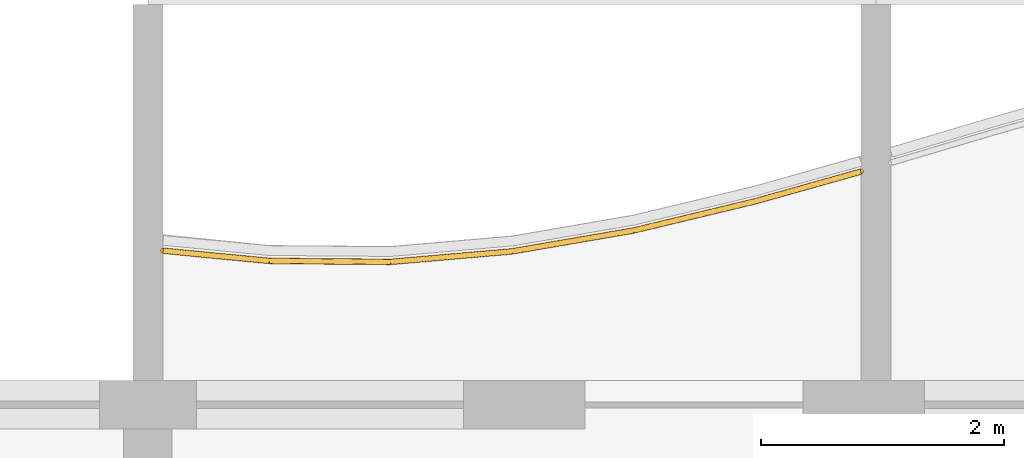
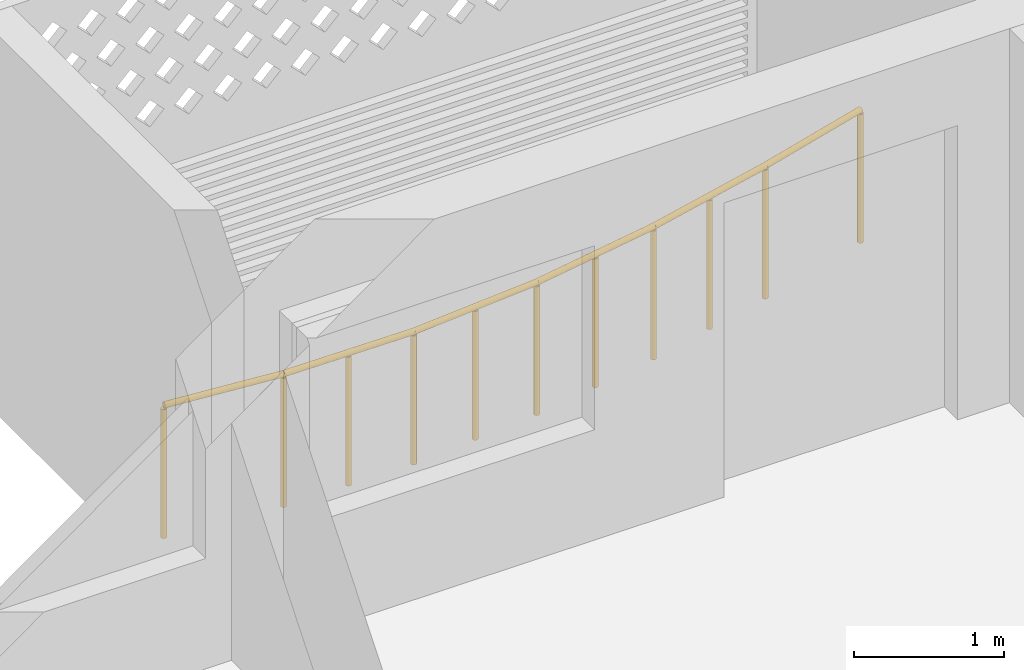
# One storey, part 35 of 38: 1 railing.
"""IFC4 building model written with IfcOpenShell, lengths in metres."""

from ifc_helpers import new_model, si_unit, direction, frame, origin, origin_2d, place, context, subcontext, project, spatial, circle, extrude, material, type_object, element, save


model = new_model("IFC4")

# Units and contexts
model_context = context("Model", 3, precision=1e-05, world=origin(), true_north=direction((0.0, 1.0)))
body_context = subcontext(model_context, "Body", "Model", "MODEL_VIEW")
ifc_project = project(units=[si_unit("LENGTHUNIT", "METRE"), si_unit("AREAUNIT", "SQUARE_METRE"), si_unit("VOLUMEUNIT", "CUBIC_METRE"), si_unit("PLANEANGLEUNIT", "RADIAN"), si_unit("MASSUNIT", "GRAM", prefix="KILO")], contexts=[model_context])

# Site, building, storey
site_placement = place(None, origin())
site = spatial("IfcSite", under=ifc_project, at=site_placement, CompositionType="ELEMENT")
building_placement = place(site_placement, origin())
building = spatial("IfcBuilding", under=site, at=building_placement, Name="Poui Terraces", CompositionType="ELEMENT")
storey_placement = place(building_placement, frame((0.0, 0.0, 46.5)))
storey = spatial("IfcBuildingStorey", under=building, at=storey_placement, Name="L12", CompositionType="ELEMENT", Elevation=46.5)

# Railing
ifc_material = material(Name="Painted steel fretwork", Category="steel")
railing_type = type_object("IfcRailingType", Name="BALCONY GUARD 1100", PredefinedType="GUARDRAIL", material=ifc_material)
railing_placement = place(storey_placement, frame((84.125, 46.0703125, 0.0)))
element("IfcRailing", 1, at=railing_placement, inside=storey, type_object=railing_type, Name="BALCONY GUARD", PredefinedType="GUARDRAIL", context=body_context, shape_type="SweptSolid", body=[
    extrude(circle(Radius=0.02392578125, at=origin_2d()), frame((0.0, 0.0, 1.076171875), z_axis=(0.995425298545, -0.095543053209, 0.0), x_axis=(0.095543053209, 0.995425298545, 0.0)), (0.0, 0.0, 1.0), 0.87890625),
    extrude(circle(Radius=0.02392578125, at=origin_2d()), frame((0.875, -0.083984375, 1.076171875), z_axis=(0.999967546851, -0.008056379162, 0.0), x_axis=(0.008056379162, 0.999967546851, 0.0)), (0.0, 0.0, 1.0), 1.0),
    extrude(circle(Radius=0.02392578125, at=origin_2d()), frame((1.875, -0.092041015625, 1.076171875), z_axis=(0.996286084847, 0.086104803231, 0.0), x_axis=(-0.086104803231, 0.996286084847, 0.0)), (0.0, 0.0, 1.0), 1.003662109375),
    extrude(circle(Radius=0.02392578125, at=origin_2d()), frame((2.875, -0.005615234375, 1.076171875), z_axis=(0.98554889076, 0.169391215599, 0.0), x_axis=(-0.169391215599, 0.98554889076, 0.0)), (0.0, 0.0, 1.0), 1.0146484375),
    extrude(circle(Radius=0.02392578125, at=origin_2d()), frame((3.875, 0.166259765625, 1.076171875), z_axis=(0.972443304839, 0.233139483729, 0.0), x_axis=(-0.233139483729, 0.972443304839, 0.0)), (0.0, 0.0, 1.0), 1.0283203125),
    extrude(circle(Radius=0.02392578125, at=origin_2d()), frame((4.875, 0.406005859375, 1.076171875), z_axis=(0.962720918379, 0.270496641966, 0.0), x_axis=(-0.270496641966, 0.962720918379, 0.0)), (0.0, 0.0, 1.0), 0.908935546875),
    extrude(circle(Radius=0.02099609375, at=origin_2d()), origin(), (0.0, 0.0, 1.0), 1.052001953125),
    extrude(circle(Radius=0.02099609375, at=origin_2d()), frame((0.875, -0.083984375, 0.0)), (0.0, 0.0, 1.0), 1.052001953125),
    extrude(circle(Radius=0.02099609375, at=origin_2d()), frame((1.375, -0.087890625, 0.0)), (0.0, 0.0, 1.0), 1.052001953125),
    extrude(circle(Radius=0.02099609375, at=origin_2d()), frame((1.875, -0.092041015625, 0.0)), (0.0, 0.0, 1.0), 1.052001953125),
    extrude(circle(Radius=0.02099609375, at=origin_2d()), frame((2.375, -0.048828125, 0.0)), (0.0, 0.0, 1.0), 1.052001953125),
    extrude(circle(Radius=0.02099609375, at=origin_2d()), frame((2.875, -0.005615234375, 0.0)), (0.0, 0.0, 1.0), 1.052001953125),
    extrude(circle(Radius=0.02099609375, at=origin_2d()), frame((3.375, 0.080322265625, 0.0)), (0.0, 0.0, 1.0), 1.052001953125),
    extrude(circle(Radius=0.02099609375, at=origin_2d()), frame((3.875, 0.166259765625, 0.0)), (0.0, 0.0, 1.0), 1.052001953125),
    extrude(circle(Radius=0.02099609375, at=origin_2d()), frame((4.375, 0.2861328125, 0.0)), (0.0, 0.0, 1.0), 1.052001953125),
    extrude(circle(Radius=0.02099609375, at=origin_2d()), frame((4.875, 0.406005859375, 0.0)), (0.0, 0.0, 1.0), 1.052001953125),
    extrude(circle(Radius=0.02099609375, at=origin_2d()), frame((5.75, 0.65185546875, 0.0)), (0.0, 0.0, 1.0), 1.052001953125),
])

save(model, "model.ifc")
